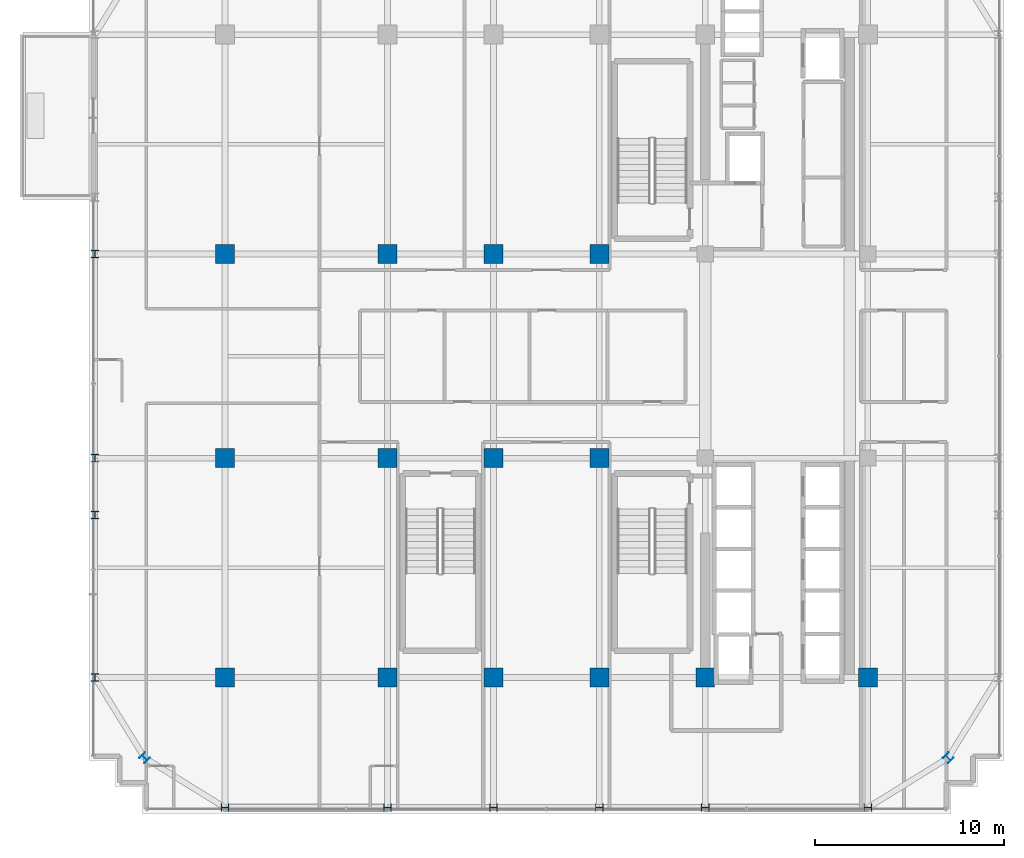
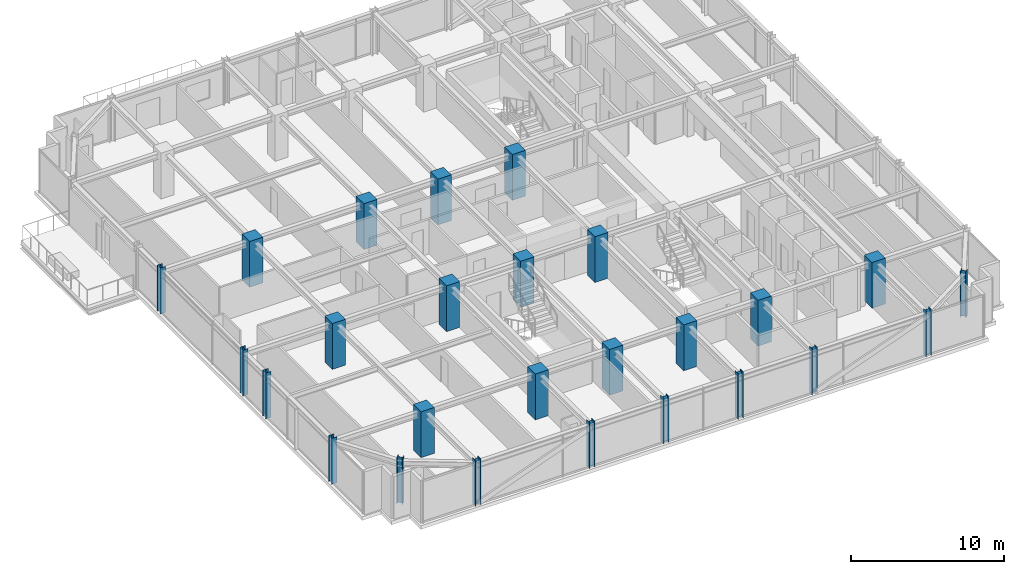
# One storey, part 1 of 36: 26 columns.
"""IFC4 building model written with IfcOpenShell, lengths in metres."""

import ifcopenshell
import ifcopenshell.guid

model = None  # the IFC model being written
_history = None  # IfcOwnerHistory: only IFC2X3 demands one
_inside = {}  # id of a spatial element -> (the spatial element, [elements in it])
_under = {}  # id of a project, library or spatial element -> (it, [spatial elements below it])
_declared = {}  # id of a project -> (the project, [libraries it declares])
_typed = {}  # id of a type object -> (the type object, [elements of that type])
_made_of = {}  # id of a material, layer set ... -> (it, [elements and type objects made of it])


def new_model(schema):
    """Start an empty IFC model of exactly this schema.

    Asked for "IFC4X3", IfcOpenShell would pick the latest addendum, in which some entities
    have other attributes; the version numbers below select the first issue.
    IFC2X3 requires an IfcOwnerHistory on every rooted entity: one is made here for all.
    """
    global model, _history
    if schema == "IFC4X3":
        model = ifcopenshell.file(schema_version=(4, 3, 0, 0))
    else:
        model = ifcopenshell.file(schema=schema)
    _inside.clear()
    _under.clear()
    _declared.clear()
    _typed.clear()
    _made_of.clear()
    _history = None
    if model.schema == "IFC2X3":
        org = make("IfcOrganization", Name="unknown")
        user = make(
            "IfcPersonAndOrganization",
            ThePerson=make("IfcPerson", FamilyName="unknown"),
            TheOrganization=org,
        )
        app = make(
            "IfcApplication",
            ApplicationDeveloper=org,
            Version="unknown",
            ApplicationFullName="unknown",
            ApplicationIdentifier="unknown",
        )
        _history = make(
            "IfcOwnerHistory",
            OwningUser=user,
            OwningApplication=app,
            ChangeAction="ADDED",
            CreationDate=0,
        )
    return model


def make(cls, **values):
    """One entity of the class cls with the attributes given. An attribute that is None is left unset."""
    return model.create_entity(
        cls, **{name: value for name, value in values.items() if value is not None}
    )


def rooted(cls, **values):
    """An entity with a GlobalId (a new one), such as an element, a storey or a relation."""
    return make(cls, GlobalId=ifcopenshell.guid.new(), OwnerHistory=_history, **values)


def si_unit(unit_type, name, prefix=None):
    """IfcSIUnit, for example si_unit("LENGTHUNIT", "METRE", prefix="MILLI")."""
    return make("IfcSIUnit", UnitType=unit_type, Prefix=prefix, Name=name)


def assignment(units):
    """IfcUnitAssignment: the units of a project."""
    return None if units is None else make("IfcUnitAssignment", Units=units)


def point(xyz):
    """IfcCartesianPoint."""
    return None if xyz is None else make("IfcCartesianPoint", Coordinates=xyz)


def direction(xyz):
    """IfcDirection."""
    return None if xyz is None else make("IfcDirection", DirectionRatios=xyz)


def frame(location, z_axis=None, x_axis=None):
    """IfcAxis2Placement3D, a coordinate frame: its origin and axes. An axis left out is left unset."""
    return make(
        "IfcAxis2Placement3D",
        Location=point(location),
        Axis=direction(z_axis),
        RefDirection=direction(x_axis),
    )


def frame_2d(location, x_axis=None):
    """IfcAxis2Placement2D, a coordinate frame in the plane: its origin and x axis."""
    return make(
        "IfcAxis2Placement2D", Location=point(location), RefDirection=direction(x_axis)
    )


def origin():
    """The frame at (0, 0, 0) with its axes left unset."""
    return frame((0.0, 0.0, 0.0))


def origin_2d():
    """The frame at (0, 0) in the plane with its x axis left unset."""
    return frame_2d((0.0, 0.0))


def place(relative_to, where):
    """IfcLocalPlacement: puts the frame where relative to a parent placement (None: the world)."""
    return make(
        "IfcLocalPlacement", PlacementRelTo=relative_to, RelativePlacement=where
    )


def context(
    kind, dimensions, precision=None, world=None, true_north=None, identifier=None
):
    """IfcGeometricRepresentationContext, for example the 3D "Model" context."""
    return make(
        "IfcGeometricRepresentationContext",
        ContextIdentifier=identifier,
        ContextType=kind,
        CoordinateSpaceDimension=dimensions,
        Precision=precision,
        WorldCoordinateSystem=world,
        TrueNorth=true_north,
    )


def subcontext(parent, identifier, kind, view, scale=None):
    """IfcGeometricRepresentationSubContext, for example "Body" below "Model"."""
    return make(
        "IfcGeometricRepresentationSubContext",
        ContextIdentifier=identifier,
        ContextType=kind,
        ParentContext=parent,
        TargetScale=scale,
        TargetView=view,
    )


def project(units=None, contexts=None):
    """IfcProject with its units and contexts."""
    return rooted(
        "IfcProject",
        Name="project",
        RepresentationContexts=contexts,
        UnitsInContext=assignment(units),
    )


def spatial(cls, under=None, at=None, **own):
    """A site, building, storey or space (cls), placed at a placement, below another one or the project."""
    s = rooted(cls, ObjectPlacement=at, **own)
    if under is not None:
        _under.setdefault(under.id(), (under, []))[1].append(s)
    return s


def profile(cls, at=None, kind="AREA", **sizes):
    """A parametric profile (cls). Its sizes go by their IFC names, for example OverallWidth=200.0."""
    return make(cls, ProfileType=kind, Position=at, **sizes)


def rectangle(**sizes):
    """IfcRectangleProfileDef."""
    return profile("IfcRectangleProfileDef", **sizes)


def i_section(**sizes):
    """IfcIShapeProfileDef."""
    return profile("IfcIShapeProfileDef", **sizes)


def extrude(swept, where, along, depth):
    """IfcExtrudedAreaSolid: the profile swept, set in the frame where, extruded along a direction by depth."""
    return make(
        "IfcExtrudedAreaSolid",
        SweptArea=swept,
        Position=where,
        ExtrudedDirection=direction(along),
        Depth=depth,
    )


def shape(context_of_items, identifier, shape_type, items):
    """IfcShapeRepresentation: the items that make up one representation, for example the "Body"."""
    return make(
        "IfcShapeRepresentation",
        ContextOfItems=context_of_items,
        RepresentationIdentifier=identifier,
        RepresentationType=shape_type,
        Items=items,
    )


def source(mapping_origin, context_of_items, identifier, shape_type, items):
    """IfcRepresentationMap: a shape defined once, which mapped items show again and again."""
    return make(
        "IfcRepresentationMap",
        MappingOrigin=mapping_origin,
        MappedRepresentation=shape(context_of_items, identifier, shape_type, items),
    )


def transform(
    local_origin,
    x_axis=None,
    y_axis=None,
    z_axis=None,
    scale=None,
    scale2=None,
    scale3=None,
    uniform=True,
):
    """IfcCartesianTransformationOperator3D, or its non-uniform kind. x_axis, y_axis, z_axis: its Axis1, 2, 3."""
    if uniform:
        return make(
            "IfcCartesianTransformationOperator3D",
            Axis1=direction(x_axis),
            Axis2=direction(y_axis),
            LocalOrigin=point(local_origin),
            Scale=scale,
            Axis3=direction(z_axis),
        )
    return make(
        "IfcCartesianTransformationOperator3DnonUniform",
        Axis1=direction(x_axis),
        Axis2=direction(y_axis),
        LocalOrigin=point(local_origin),
        Scale=scale,
        Axis3=direction(z_axis),
        Scale2=scale2,
        Scale3=scale3,
    )


def mapped(mapping_source, mapping_target):
    """IfcMappedItem: shows the shape of a source again, moved by a transform."""
    return make(
        "IfcMappedItem", MappingSource=mapping_source, MappingTarget=mapping_target
    )


def material(Name=None, Category=None):
    """IfcMaterial."""
    return make("IfcMaterial", Name=Name, Category=Category)


def material_profile(
    of_material, cross_section, Name=None, Category=None, Priority=None
):
    """IfcMaterialProfile: a cross section and its material."""
    return make(
        "IfcMaterialProfile",
        Name=Name,
        Material=of_material,
        Profile=cross_section,
        Priority=Priority,
        Category=Category,
    )


def profile_set(profiles, Name=None, composite=None):
    """IfcMaterialProfileSet."""
    return make(
        "IfcMaterialProfileSet",
        Name=Name,
        MaterialProfiles=profiles,
        CompositeProfile=composite,
    )


def made_of(thing, what):
    """Note that an element or type object is made of a material, layer set ...; save() writes the relation."""
    if what is not None:
        _made_of.setdefault(what.id(), (what, []))[1].append(thing)
    return thing


def type_object(cls, material=None, **own):
    """A type object (cls), such as IfcWallType, which elements share."""
    return made_of(rooted(cls, **own), material)


def element(
    cls,
    number,
    at=None,
    inside=None,
    cuts=None,
    type_object=None,
    material=None,
    context=None,
    identifier="Body",
    shape_type=None,
    held_by="IfcProductDefinitionShape",
    body=None,
    shapes=None,
    **own,
):
    """One element of the class cls, such as IfcWall. Its Tag is "e" and its number.

    at: its placement. inside: the storey or other place that contains it. cuts: it is an
    opening in that element (IfcRelVoidsElement). A single representation is given by context,
    identifier, shape_type and body (its items); several are given by shapes. held_by: the class
    of the entity that holds the representations. save() writes the other relations.
    """
    e = rooted(cls, Tag="e%d" % number, ObjectPlacement=at, **own)
    if body is not None:
        shapes = [shape(context, identifier, shape_type, body)]
    if shapes is not None:
        e.Representation = make(held_by, Representations=shapes)
    if inside is not None:
        _inside.setdefault(inside.id(), (inside, []))[1].append(e)
    if cuts is not None:
        rooted(
            "IfcRelVoidsElement", RelatingBuildingElement=cuts, RelatedOpeningElement=e
        )
    if type_object is not None:
        _typed.setdefault(type_object.id(), (type_object, []))[1].append(e)
    return made_of(e, material)


def aggregate(whole, parts):
    """IfcRelAggregates: a whole, such as a stair, and the parts it consists of."""
    return rooted("IfcRelAggregates", RelatingObject=whole, RelatedObjects=parts)


def save(model, path):
    """Write the relations noted so far, then the file.

    IfcRelAggregates (storeys below a building ...), IfcRelContainedInSpatialStructure (elements
    in a storey), IfcRelDefinesByType, IfcRelAssociatesMaterial and IfcRelDeclares: one each for
    every whole, place, type object, material and project.
    """
    for whole, parts in _under.values():
        aggregate(whole, parts)
    for where, things in _inside.values():
        rooted(
            "IfcRelContainedInSpatialStructure",
            RelatedElements=things,
            RelatingStructure=where,
        )
    for kind, things in _typed.values():
        rooted("IfcRelDefinesByType", RelatedObjects=things, RelatingType=kind)
    for what, things in _made_of.values():
        rooted("IfcRelAssociatesMaterial", RelatedObjects=things, RelatingMaterial=what)
    for by, libraries in _declared.values():
        rooted("IfcRelDeclares", RelatingContext=by, RelatedDefinitions=libraries)
    model.write(path)


model = new_model("IFC4")

# Units and contexts
model_context = context("Model", 3, precision=1e-05, world=origin(), true_north=direction((0.0, 1.0)))
body_context = subcontext(model_context, "Body", "Model", "MODEL_VIEW")
ifc_project = project(units=[si_unit("LENGTHUNIT", "METRE"), si_unit("AREAUNIT", "SQUARE_METRE"), si_unit("VOLUMEUNIT", "CUBIC_METRE"), si_unit("PLANEANGLEUNIT", "RADIAN"), si_unit("MASSUNIT", "GRAM", prefix="KILO")], contexts=[model_context])

# Site, building, storey
site_placement = place(None, origin())
site = spatial("IfcSite", under=ifc_project, at=site_placement, CompositionType="ELEMENT")
building_placement = place(site_placement, origin())
building = spatial("IfcBuilding", under=site, at=building_placement, Name="Nahalor Promenade Grand Hotel", CompositionType="ELEMENT")
storey_placement = place(building_placement, frame((0.0, 0.0, 212.300048828125)))
storey = spatial("IfcBuildingStorey", under=building, at=storey_placement, Name="L54", CompositionType="ELEMENT", Elevation=212.300048828125)

# Columns
ifc_material_1 = material(Name="Concrete B-60 (C50/60)", Category="concrete")
ifc_material_profile_1 = material_profile(ifc_material_1, rectangle(XDim=1.0, YDim=1.0, at=origin_2d()), Name="RC 1000x1000")
ifc_profile_set_1 = profile_set([ifc_material_profile_1], Name="Concrete B-60 (C50/60)")
column_type_1 = type_object("IfcColumnType", Name="Col-RC-1000", PredefinedType="COLUMN", material=ifc_profile_set_1)
shared_shape_1 = source(origin(), body_context, "Body", "SweptSolid", [
    extrude(rectangle(XDim=1.0, YDim=1.0, at=origin_2d()), origin(), (0.0, 0.0, 1.0), 3.655029296875),
])
for number, where, z_axis, x_axis, name in (
    (1, (-17.0, -17.0, 0.0), (0.0, 0.0, 1.0), (1.0, 0.0, 0.0), "COL-L54-I00"),
    (2, (-17.0, -5.39990234375, 0.0), (0.0, 0.0, 1.0), (1.0, 0.0, 0.0), "COL-L54-I01"),
    (3, (-17.0, 5.39990234375, 0.0), (0.0, 0.0, 1.0), (1.0, 0.0, 0.0), "COL-L54-I02"),
    (4, (-8.39990234375, -17.0, 0.0), (0.0, 0.0, 1.0), (1.0, 0.0, 0.0), "COL-L54-I10"),
    (5, (-8.39990234375, -5.39990234375, 0.0), (0.0, 0.0, 1.0), (1.0, 0.0, 0.0), "COL-L54-I11"),
    (6, (-8.39990234375, 5.39990234375, 0.0), (0.0, 0.0, 1.0), (1.0, 0.0, 0.0), "COL-L54-I12"),
    (7, (-2.800048828125, -17.0, 0.0), (0.0, 0.0, 1.0), (1.0, 0.0, 0.0), "COL-L54-I20"),
    (8, (-2.800048828125, -5.39990234375, 0.0), (0.0, 0.0, 1.0), (1.0, 0.0, 0.0), "COL-L54-I21"),
    (9, (-2.800048828125, 5.39990234375, 0.0), (0.0, 0.0, 1.0), (1.0, 0.0, 0.0), "COL-L54-I22"),
    (10, (2.800048828125, -17.0, 0.0), (0.0, 0.0, 1.0), (1.0, 0.0, 0.0), "COL-L54-I30"),
    (11, (2.800048828125, -5.39990234375, 0.0), (0.0, 0.0, 1.0), (1.0, 0.0, 0.0), "COL-L54-I31"),
    (12, (2.800048828125, 5.39990234375, 0.0), (0.0, 0.0, 1.0), (1.0, 0.0, 0.0), "COL-L54-I32"),
    (13, (8.39990234375, -17.0, 0.0), (0.0, 0.0, 1.0), (1.0, 0.0, 0.0), "COL-L54-I40"),
    (14, (17.0, -17.0, 0.0), (0.0, 0.0, 1.0), (1.0, 0.0, 0.0), "COL-L54-I50"),
):
    element("IfcColumn", number, at=place(storey_placement, frame(where, z_axis=z_axis, x_axis=x_axis)), inside=storey, type_object=column_type_1, Name=name, PredefinedType="COLUMN", context=body_context, shape_type="MappedRepresentation", body=[
        mapped(shared_shape_1, transform((0.0, 0.0, 0.0), scale=1.0)),
    ])
ifc_material_2 = material(Name="Steel S355JR", Category="steel")
ifc_material_profile_2 = material_profile(ifc_material_2, i_section(OverallWidth=0.401, OverallDepth=0.406, WebThickness=0.0161, FlangeThickness=0.025, at=origin_2d()), Name="HD 400x314")
ifc_profile_set_2 = profile_set([ifc_material_profile_2], Name="Steel S355JR")
column_type_2 = type_object("IfcColumnType", Name="Col-Steel-HD314", PredefinedType="COLUMN", material=ifc_profile_set_2)
shared_shape_2 = source(origin(), body_context, "Body", "SweptSolid", [
    extrude(i_section(OverallWidth=0.401, OverallDepth=0.406, WebThickness=0.0161, FlangeThickness=0.025, at=origin_2d()), origin(), (0.0, 0.0, 1.0), 3.655029296875),
])
for number, where, z_axis, x_axis, name in (
    (15, (-23.8798828125, -17.0, 0.0), (0.0, 0.0, 1.0), (1.0, 0.0, 0.0), "COL-L54-PW-W0"),
    (16, (-23.8798828125, -8.39990234375, 0.0), (0.0, 0.0, 1.0), (1.0, 0.0, 0.0), "COL-L54-PW-W1"),
    (17, (-23.8798828125, -5.39990234375, 0.0), (0.0, 0.0, 1.0), (1.0, 0.0, 0.0), "COL-L54-PW-W2"),
    (18, (-23.8798828125, 5.39990234375, 0.0), (0.0, 0.0, 1.0), (1.0, 0.0, 0.0), "COL-L54-PW-W3"),
    (19, (-17.0, -23.8798828125, 0.0), (0.0, 0.0, 1.0), (0.0, 1.0, 0.0), "COL-L54-PN-S0"),
    (20, (-8.39990234375, -23.8798828125, 0.0), (0.0, 0.0, 1.0), (0.0, 1.0, 0.0), "COL-L54-PN-S1"),
    (21, (-2.800048828125, -23.8798828125, 0.0), (0.0, 0.0, 1.0), (0.0, 1.0, 0.0), "COL-L54-PN-S2"),
    (22, (2.800048828125, -23.8798828125, 0.0), (0.0, 0.0, 1.0), (0.0, 1.0, 0.0), "COL-L54-PN-S3"),
    (23, (8.39990234375, -23.8798828125, 0.0), (0.0, 0.0, 1.0), (0.0, 1.0, 0.0), "COL-L54-PN-S4"),
    (24, (17.0, -23.8798828125, 0.0), (0.0, 0.0, 1.0), (0.0, 1.0, 0.0), "COL-L54-PN-S5"),
    (25, (-21.25, -21.25, 0.0), (0.0, 0.0, 1.0), (0.707106781187, 0.707106781187, 0.0), "COL-L54-CRN-SW"),
    (26, (21.25, -21.25, 0.0), (0.0, 0.0, 1.0), (0.707106781187, 0.707106781187, 0.0), "COL-L54-CRN-SE"),
):
    element("IfcColumn", number, at=place(storey_placement, frame(where, z_axis=z_axis, x_axis=x_axis)), inside=storey, type_object=column_type_2, Name=name, PredefinedType="COLUMN", context=body_context, shape_type="MappedRepresentation", body=[
        mapped(shared_shape_2, transform((0.0, 0.0, 0.0), scale=1.0)),
    ])

save(model, "model.ifc")
